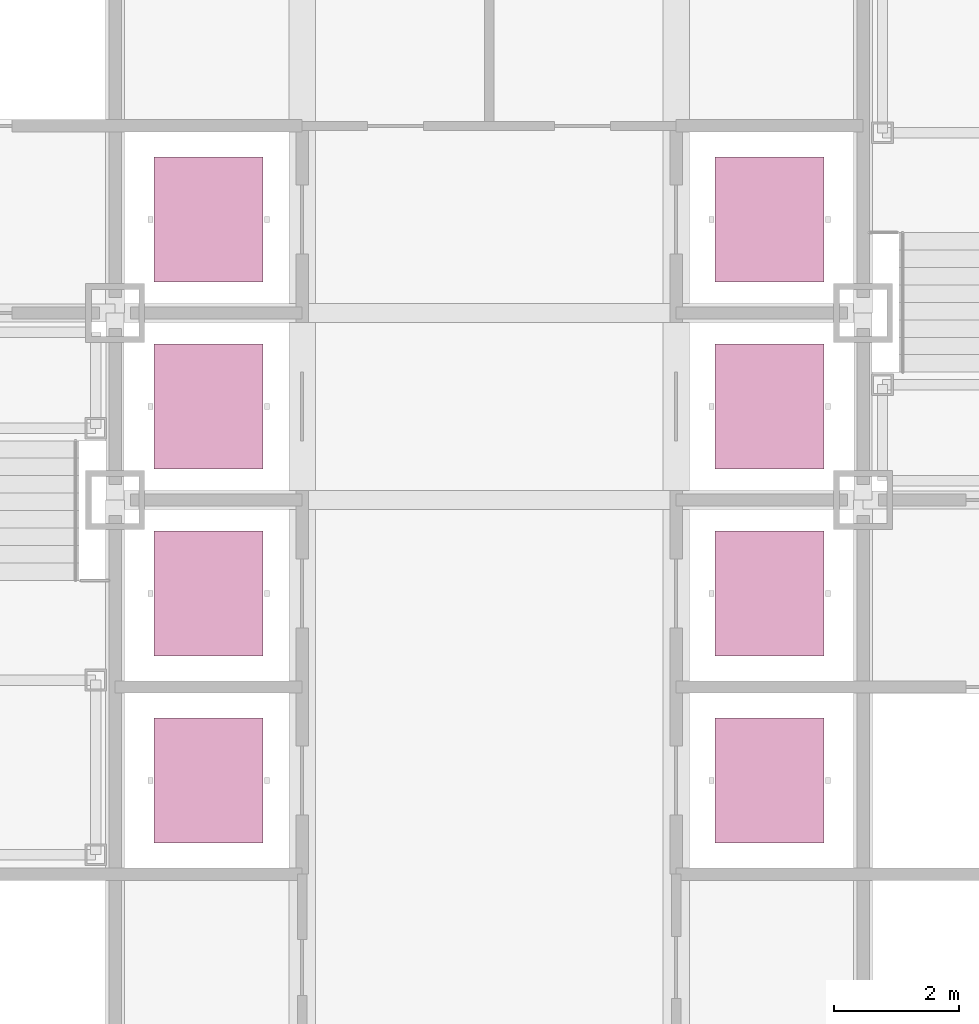
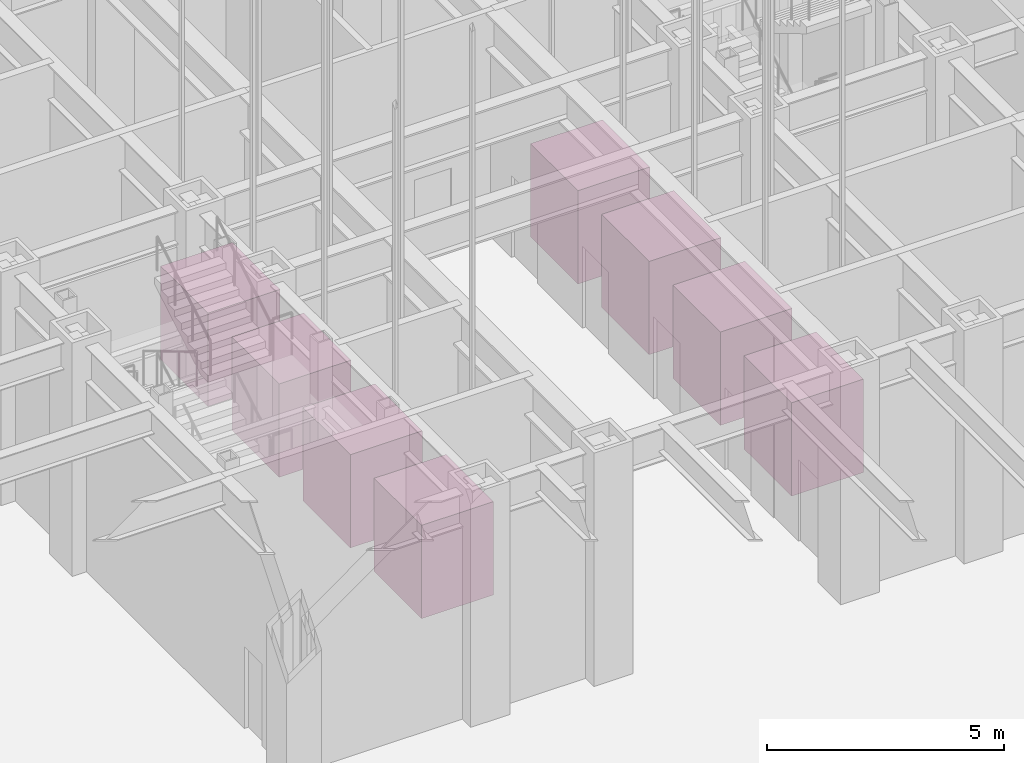
# One storey, part 19 of 35: 8 transport elements.
"""IFC4 building model written with IfcOpenShell, lengths in metres."""

from ifc_helpers import new_model, si_unit, direction, frame, origin, origin_2d, place, context, subcontext, project, spatial, rectangle, extrude, material, type_object, element, save


model = new_model("IFC4")

# Units and contexts
model_context = context("Model", 3, precision=1e-05, world=origin(), true_north=direction((0.0, 1.0)))
body_context = subcontext(model_context, "Body", "Model", "MODEL_VIEW")
ifc_project = project(units=[si_unit("LENGTHUNIT", "METRE"), si_unit("AREAUNIT", "SQUARE_METRE"), si_unit("VOLUMEUNIT", "CUBIC_METRE"), si_unit("PLANEANGLEUNIT", "RADIAN"), si_unit("MASSUNIT", "GRAM", prefix="KILO")], contexts=[model_context])

# Site, building, storey
site_placement = place(None, origin())
site = spatial("IfcSite", under=ifc_project, at=site_placement, CompositionType="ELEMENT")
building_placement = place(site_placement, origin())
building = spatial("IfcBuilding", under=site, at=building_placement, Name="Chuquiago Exchange Tower", CompositionType="ELEMENT")
storey_placement = place(building_placement, origin())
storey = spatial("IfcBuildingStorey", under=building, at=storey_placement, Name="L00", CompositionType="ELEMENT", Elevation=0.0)

# Transport elements
ifc_material = material(Name="Lift car, stainless steel", Category="steel")
transport_element_type = type_object("IfcTransportElementType", Name="LP passenger lift 1600 kg", PredefinedType="ELEVATOR", material=ifc_material)
for number, where, z_axis, x_axis, name in (
    (1, (18.0, 16.5, 0.0), (0.0, 0.0, 1.0), (1.0, 0.0, 0.0), "Lift LA1"),
    (2, (18.0, 19.5, 0.0), (0.0, 0.0, 1.0), (1.0, 0.0, 0.0), "Lift LA2"),
    (3, (18.0, 22.5, 0.0), (0.0, 0.0, 1.0), (1.0, 0.0, 0.0), "Lift LA3"),
    (4, (18.0, 25.5, 0.0), (0.0, 0.0, 1.0), (1.0, 0.0, 0.0), "Lift LA4"),
    (5, (27.0, 16.5, 0.0), (0.0, 0.0, 1.0), (1.0, 0.0, 0.0), "Shuttle lift LS1"),
    (6, (27.0, 19.5, 0.0), (0.0, 0.0, 1.0), (1.0, 0.0, 0.0), "Shuttle lift LS2"),
    (7, (27.0, 22.5, 0.0), (0.0, 0.0, 1.0), (1.0, 0.0, 0.0), "Shuttle lift LS3"),
    (8, (27.0, 25.5, 0.0), (0.0, 0.0, 1.0), (1.0, 0.0, 0.0), "Shuttle lift LS4"),
):
    element("IfcTransportElement", number, at=place(storey_placement, frame(where, z_axis=z_axis, x_axis=x_axis)), inside=storey, type_object=transport_element_type, Name=name, PredefinedType="ELEVATOR", context=body_context, shape_type="SweptSolid", body=[
        extrude(rectangle(XDim=1.75, YDim=2.0, at=origin_2d()), origin(), (0.0, 0.0, 1.0), 2.39990234375),
    ])

save(model, "model.ifc")
